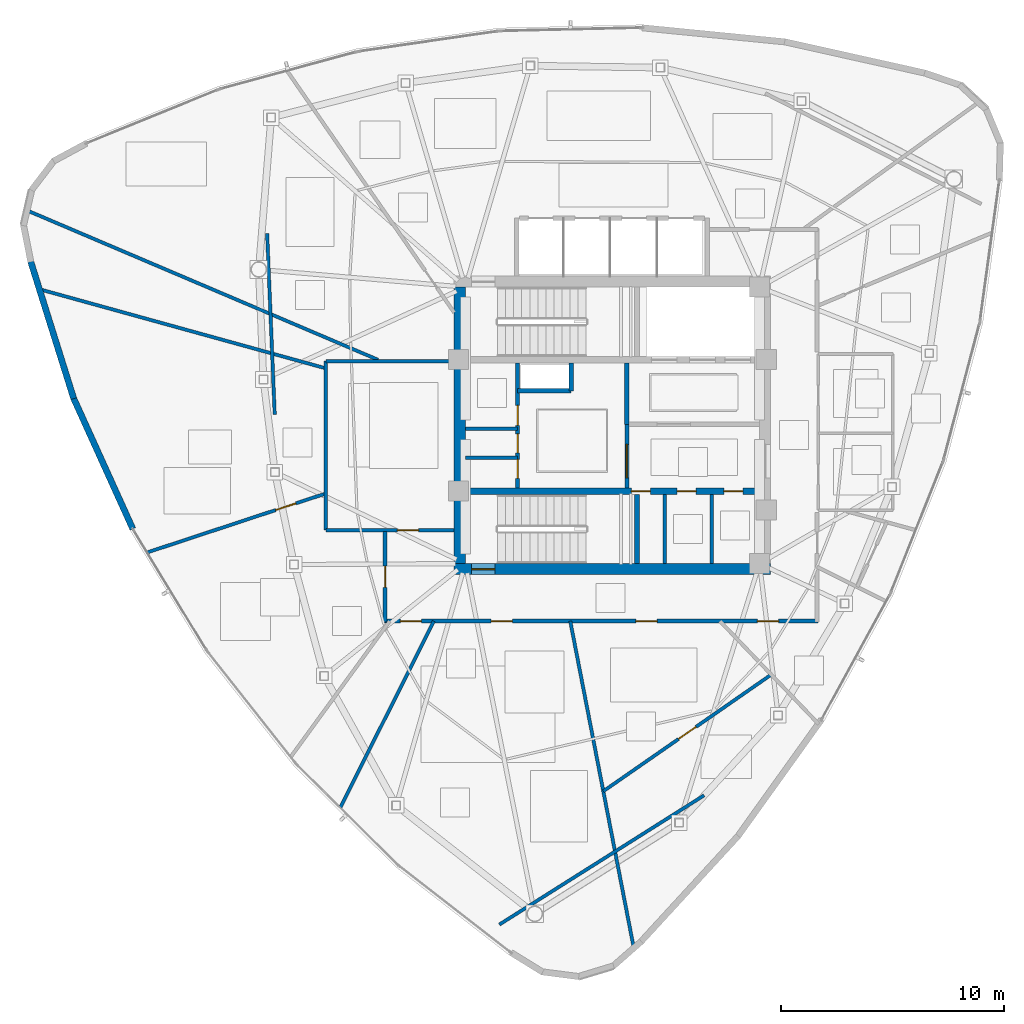
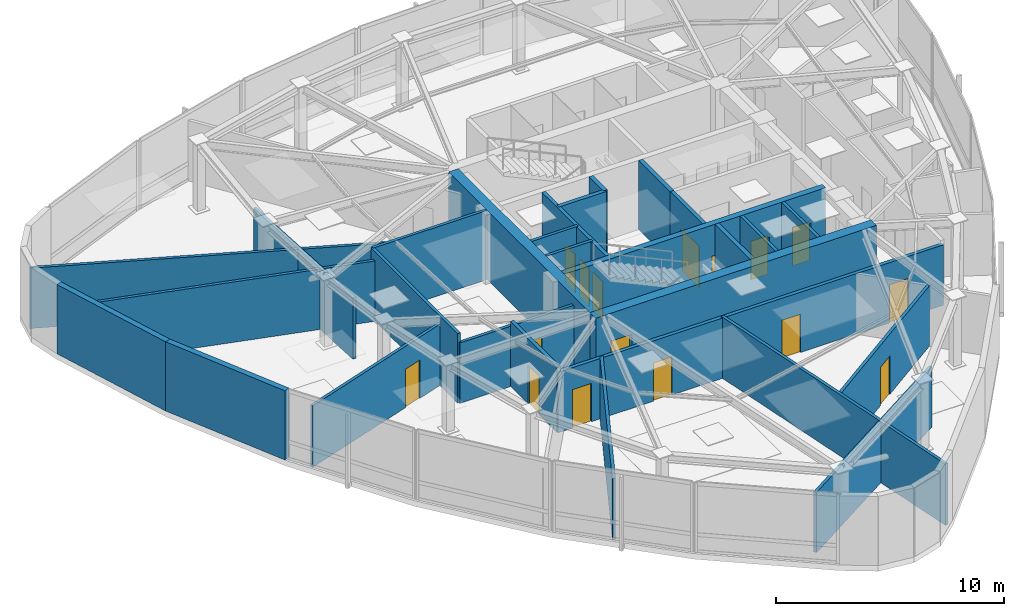
# One storey, part 8 of 12: 28 walls, 16 doors, 16 openings.
"""IFC4 building model written with IfcOpenShell, lengths in metres."""

from ifc_helpers import new_model, si_unit, direction, frame, frame_2d, origin, place, context, subcontext, project, spatial, rectangle, extrude, material, layer, layer_set, type_object, element, fill, save


model = new_model("IFC4")

# Units and contexts
model_context = context("Model", 3, precision=1e-05, world=origin(), true_north=direction((0.0, 1.0)))
body_context = subcontext(model_context, "Body", "Model", "MODEL_VIEW")
ifc_project = project(units=[si_unit("LENGTHUNIT", "METRE"), si_unit("AREAUNIT", "SQUARE_METRE"), si_unit("VOLUMEUNIT", "CUBIC_METRE"), si_unit("PLANEANGLEUNIT", "RADIAN"), si_unit("MASSUNIT", "GRAM", prefix="KILO")], contexts=[model_context])

# Site, building, storey
site_placement = place(None, origin())
site = spatial("IfcSite", under=ifc_project, at=site_placement, CompositionType="ELEMENT")
building_placement = place(site_placement, origin())
building = spatial("IfcBuilding", under=site, at=building_placement, Name="Tavelor Broadcast Tower", CompositionType="ELEMENT")
storey_placement = place(building_placement, frame((0.0, 0.0, 317.5)))
storey = spatial("IfcBuildingStorey", under=building, at=storey_placement, Name="L76", CompositionType="ELEMENT", Elevation=317.5)

# Wall, opening, door
ifc_material_1 = material(Name="Concrete C50/60", Category="concrete")
ifc_layer_1 = layer(ifc_material_1, 0.5)
ifc_layer_set_1 = layer_set([ifc_layer_1], Name="Concrete C50/60")
wall_type_1 = type_object("IfcWallType", Name="Core Shear Wall 500 mm", PredefinedType="SHEAR", material=ifc_layer_set_1)
wall_1_placement = place(storey_placement, frame((42.89990234375, 38.550048828125, 0.0), z_axis=(0.0, 0.0, 1.0), x_axis=(1.0, 0.0, 0.0)))
wall_1 = element("IfcWall", 1, at=wall_1_placement, inside=storey, type_object=wall_type_1, Name="L76 Central Core Shear Wall S", PredefinedType="SHEAR", context=body_context, shape_type="SweptSolid", body=[
    extrude(rectangle(XDim=14.2001953125, YDim=0.5, at=frame_2d((7.10009765625, 0.0))), origin(), (0.0, 0.0, 1.0), 3.699951171875),
])
opening_1_placement = place(wall_1_placement, frame((0.780029296875, 0.0, 0.0)))
opening_1 = element("IfcOpeningElement", 2, at=opening_1_placement, cuts=wall_1, Name="Opening DR11", PredefinedType="OPENING", context=body_context, shape_type="SweptSolid", body=[
    extrude(rectangle(XDim=1.050048828125, YDim=2.199951171875, at=frame_2d((0.52490234375, 1.10009765625))), frame((0.0, 0.260009765625, 0.0), z_axis=(0.0, -1.0, 0.0), x_axis=(1.0, 0.0, 0.0)), (0.0, 0.0, 1.0), 0.52001953125),
])
ifc_material_2 = material(Name="Steel S355", Category="steel")
door_type_1 = type_object("IfcDoorType", Name="Stair Core Fire Escape Door 1050x2200", OperationType="NOTDEFINED", PredefinedType="DOOR", material=ifc_material_2)
door_1_placement = place(opening_1_placement, origin())
door_1 = element("IfcDoor", 3, at=door_1_placement, inside=storey, type_object=door_type_1, Name="L76 Stair ST2 Protected Exit Door", OperationType="SINGLE_SWING_RIGHT", OverallHeight=2.199951171875, OverallWidth=1.050048828125, PredefinedType="DOOR", context=body_context, shape_type="SweptSolid", body=[
    extrude(rectangle(XDim=1.050048828125, YDim=2.199951171875, at=frame_2d((0.52490234375, 1.10009765625))), frame((0.0, 0.02490234375, 0.0), z_axis=(0.0, -1.0, 0.0), x_axis=(1.0, 0.0, 0.0)), (0.0, 0.0, 1.0), 0.050048828125),
])
fill(opening_1, door_1)

# Wall
wall_2_placement = place(storey_placement, frame((43.14990234375, 38.800048828125, 0.0), z_axis=(0.0, 0.0, 1.0), x_axis=(0.0, 1.0, 0.0)))
element("IfcWall", 4, at=wall_2_placement, inside=storey, type_object=wall_type_1, Name="L76 Central Core Shear Wall W", PredefinedType="SHEAR", context=body_context, shape_type="SweptSolid", body=[
    extrude(rectangle(XDim=12.39990234375, YDim=0.5, at=frame_2d((6.199951171875, 0.0))), origin(), (0.0, 0.0, 1.0), 3.699951171875),
])

# Wall, openings, doors
ifc_layer_2 = layer(ifc_material_1, 0.300048828125)
ifc_layer_set_2 = layer_set([ifc_layer_2], Name="Concrete C50/60")
wall_type_2 = type_object("IfcWallType", Name="Core Spine Shear Wall 300 mm C50", PredefinedType="SHEAR", material=ifc_layer_set_2)
wall_3_placement = place(storey_placement, frame((43.39990234375, 42.050048828125, 0.0), z_axis=(0.0, 0.0, 1.0), x_axis=(1.0, 0.0, 0.0)))
wall_3 = element("IfcWall", 5, at=wall_3_placement, inside=storey, type_object=wall_type_2, Name="L76 Central Core Shear Wall SP2", PredefinedType="SHEAR", context=body_context, shape_type="SweptSolid", body=[
    extrude(rectangle(XDim=13.2001953125, YDim=0.300048828125, at=frame_2d((6.60009765625, 0.0))), origin(), (0.0, 0.0, 1.0), 3.699951171875),
])
opening_2_placement = place(wall_3_placement, frame((7.449951171875, 0.0, 0.0)))
opening_2 = element("IfcOpeningElement", 6, at=opening_2_placement, cuts=wall_3, Name="Opening DR36", PredefinedType="OPENING", context=body_context, shape_type="SweptSolid", body=[
    extrude(rectangle(XDim=0.85009765625, YDim=2.050048828125, at=frame_2d((0.425048828125, 1.02490234375))), frame((0.0, 0.16015625, 0.0), z_axis=(0.0, -1.0, 0.0), x_axis=(1.0, 0.0, 0.0)), (0.0, 0.0, 1.0), 0.320068359375),
])
opening_3_placement = place(wall_3_placement, frame((9.5, 0.0, 0.0)))
opening_3 = element("IfcOpeningElement", 7, at=opening_3_placement, cuts=wall_3, Name="Opening DR36", PredefinedType="OPENING", context=body_context, shape_type="SweptSolid", body=[
    extrude(rectangle(XDim=0.85009765625, YDim=2.050048828125, at=frame_2d((0.425048828125, 1.02490234375))), frame((0.0, 0.16015625, 0.0), z_axis=(0.0, -1.0, 0.0), x_axis=(1.0, 0.0, 0.0)), (0.0, 0.0, 1.0), 0.320068359375),
])
opening_4_placement = place(wall_3_placement, frame((11.60009765625, 0.0, 0.0)))
opening_4 = element("IfcOpeningElement", 8, at=opening_4_placement, cuts=wall_3, Name="Opening DR36", PredefinedType="OPENING", context=body_context, shape_type="SweptSolid", body=[
    extrude(rectangle(XDim=0.85009765625, YDim=2.050048828125, at=frame_2d((0.425048828125, 1.02490234375))), frame((0.0, 0.16015625, 0.0), z_axis=(0.0, -1.0, 0.0), x_axis=(1.0, 0.0, 0.0)), (0.0, 0.0, 1.0), 0.320068359375),
])
door_type_2 = type_object("IfcDoorType", Name="Service Room Fire Door 850x2050", OperationType="NOTDEFINED", PredefinedType="DOOR", material=ifc_material_2)
door_2_placement = place(opening_2_placement, origin())
door_2 = element("IfcDoor", 9, at=door_2_placement, inside=storey, type_object=door_type_2, Name="L76 Reclaimed South Core Pod 1 Door", OperationType="SINGLE_SWING_RIGHT", OverallHeight=2.050048828125, OverallWidth=0.85009765625, PredefinedType="DOOR", context=body_context, shape_type="SweptSolid", body=[
    extrude(rectangle(XDim=0.85009765625, YDim=2.050048828125, at=frame_2d((0.425048828125, 1.02490234375))), frame((0.0, 0.02490234375, 0.0), z_axis=(0.0, -1.0, 0.0), x_axis=(1.0, 0.0, 0.0)), (0.0, 0.0, 1.0), 0.050048828125),
])
fill(opening_2, door_2)
door_3_placement = place(opening_3_placement, origin())
door_3 = element("IfcDoor", 10, at=door_3_placement, inside=storey, type_object=door_type_2, Name="L76 Reclaimed South Core Pod 2 Door", OperationType="SINGLE_SWING_LEFT", OverallHeight=2.050048828125, OverallWidth=0.85009765625, PredefinedType="DOOR", context=body_context, shape_type="SweptSolid", body=[
    extrude(rectangle(XDim=0.85009765625, YDim=2.050048828125, at=frame_2d((0.425048828125, 1.02490234375))), frame((0.0, 0.02490234375, 0.0), z_axis=(0.0, -1.0, 0.0), x_axis=(1.0, 0.0, 0.0)), (0.0, 0.0, 1.0), 0.050048828125),
])
fill(opening_3, door_3)
door_4_placement = place(opening_4_placement, origin())
door_4 = element("IfcDoor", 11, at=door_4_placement, inside=storey, type_object=door_type_2, Name="L76 Reclaimed South Core Pod 3 Door", OperationType="SINGLE_SWING_RIGHT", OverallHeight=2.050048828125, OverallWidth=0.85009765625, PredefinedType="DOOR", context=body_context, shape_type="SweptSolid", body=[
    extrude(rectangle(XDim=0.85009765625, YDim=2.050048828125, at=frame_2d((0.425048828125, 1.02490234375))), frame((0.0, 0.02490234375, 0.0), z_axis=(0.0, -1.0, 0.0), x_axis=(1.0, 0.0, 0.0)), (0.0, 0.0, 1.0), 0.050048828125),
])
fill(opening_4, door_4)

# Wall, opening, door
ifc_material_3 = material(Name="Calcium Silicate Fire Board 180 mm", Category="gypsum")
ifc_layer_3 = layer(ifc_material_3, 0.179931640625)
ifc_layer_set_3 = layer_set([ifc_layer_3], Name="Calcium Silicate Fire Board 180 mm")
wall_type_3 = type_object("IfcWallType", Name="Fire-Rated Corridor Partition Wall 180 mm", PredefinedType="PARTITIONING", material=ifc_layer_set_3)
wall_4_placement = place(storey_placement, frame((50.64990234375, 42.199951171875, 0.0), z_axis=(0.0, 0.0, 1.0), x_axis=(0.0, 1.0, 0.0)))
wall_4 = element("IfcWall", 12, at=wall_4_placement, inside=storey, type_object=wall_type_3, Name="L76 Core Lobby Zoning Wall", PredefinedType="PARTITIONING", context=body_context, shape_type="SweptSolid", body=[
    extrude(rectangle(XDim=2.85009765625, YDim=0.179931640625, at=frame_2d((1.425048828125, 0.0))), origin(), (0.0, 0.0, 1.0), 3.699951171875),
])
opening_5_placement = place(wall_4_placement, frame((0.449951171875, 0.0, 0.0)))
opening_5 = element("IfcOpeningElement", 13, at=opening_5_placement, cuts=wall_4, Name="Opening DR14", PredefinedType="OPENING", context=body_context, shape_type="SweptSolid", body=[
    extrude(rectangle(XDim=1.5, YDim=2.199951171875, at=frame_2d((0.75, 1.10009765625))), frame((0.0, 0.10009765625, 0.0), z_axis=(0.0, -1.0, 0.0), x_axis=(1.0, 0.0, 0.0)), (0.0, 0.0, 1.0), 0.199951171875),
])
door_type_3 = type_object("IfcDoorType", Name="Firefighting Lobby Double Fire Door 1500x2200", OperationType="NOTDEFINED", PredefinedType="DOOR", material=ifc_material_2)
door_5_placement = place(opening_5_placement, origin())
door_5 = element("IfcDoor", 14, at=door_5_placement, inside=storey, type_object=door_type_3, Name="L76 Core West Lobby Double Fire Door", OperationType="SINGLE_SWING_LEFT", OverallHeight=2.199951171875, OverallWidth=1.5, PredefinedType="DOOR", context=body_context, shape_type="SweptSolid", body=[
    extrude(rectangle(XDim=1.5, YDim=2.199951171875, at=frame_2d((0.75, 1.10009765625))), frame((0.0, 0.02490234375, 0.0), z_axis=(0.0, -1.0, 0.0), x_axis=(1.0, 0.0, 0.0)), (0.0, 0.0, 1.0), 0.050048828125),
])
fill(opening_5, door_5)

# Wall, openings, doors
wall_5_placement = place(storey_placement, frame((45.75, 42.199951171875, 0.0), z_axis=(0.0, 0.0, 1.0), x_axis=(0.0, 1.0, 0.0)))
wall_5 = element("IfcWall", 15, at=wall_5_placement, inside=storey, type_object=wall_type_3, Name="L76 Core West Service East Wall", PredefinedType="PARTITIONING", context=body_context, shape_type="SweptSolid", body=[
    extrude(rectangle(XDim=5.60009765625, YDim=0.179931640625, at=frame_2d((2.800048828125, 0.0))), origin(), (0.0, 0.0, 1.0), 3.699951171875),
])
opening_6_placement = place(wall_5_placement, frame((0.419921875, 0.0, 0.0)))
opening_6 = element("IfcOpeningElement", 16, at=opening_6_placement, cuts=wall_5, Name="Opening DR36", PredefinedType="OPENING", context=body_context, shape_type="SweptSolid", body=[
    extrude(rectangle(XDim=0.85009765625, YDim=2.050048828125, at=frame_2d((0.425048828125, 1.02490234375))), frame((0.0, 0.10009765625, 0.0), z_axis=(0.0, -1.0, 0.0), x_axis=(1.0, 0.0, 0.0)), (0.0, 0.0, 1.0), 0.199951171875),
])
opening_7_placement = place(wall_5_placement, frame((1.570068359375, 0.0, 0.0)))
opening_7 = element("IfcOpeningElement", 17, at=opening_7_placement, cuts=wall_5, Name="Opening DR36", PredefinedType="OPENING", context=body_context, shape_type="SweptSolid", body=[
    extrude(rectangle(XDim=0.85009765625, YDim=2.050048828125, at=frame_2d((0.425048828125, 1.02490234375))), frame((0.0, 0.10009765625, 0.0), z_axis=(0.0, -1.0, 0.0), x_axis=(1.0, 0.0, 0.0)), (0.0, 0.0, 1.0), 0.199951171875),
])
opening_8_placement = place(wall_5_placement, frame((2.800048828125, 0.0, 0.0)))
opening_8 = element("IfcOpeningElement", 18, at=opening_8_placement, cuts=wall_5, Name="Opening DR32", PredefinedType="OPENING", context=body_context, shape_type="SweptSolid", body=[
    extrude(rectangle(XDim=0.89990234375, YDim=2.050048828125, at=frame_2d((0.449951171875, 1.02490234375))), frame((0.0, 0.10009765625, 0.0), z_axis=(0.0, -1.0, 0.0), x_axis=(1.0, 0.0, 0.0)), (0.0, 0.0, 1.0), 0.199951171875),
])
ifc_material_4 = material(Name="Timber Solid Core Hardwood", Category="wood")
door_type_4 = type_object("IfcDoorType", Name="Accessible Washroom Door 900x2050", OperationType="NOTDEFINED", PredefinedType="DOOR", material=ifc_material_4)
door_6_placement = place(opening_8_placement, origin())
door_6 = element("IfcDoor", 19, at=door_6_placement, inside=storey, type_object=door_type_4, Name="L76 Core Accessible WC Door", OperationType="SINGLE_SWING_LEFT", OverallHeight=2.050048828125, OverallWidth=0.89990234375, PredefinedType="DOOR", context=body_context, shape_type="SweptSolid", body=[
    extrude(rectangle(XDim=0.89990234375, YDim=2.050048828125, at=frame_2d((0.449951171875, 1.02490234375))), frame((0.0, 0.02490234375, 0.0), z_axis=(0.0, -1.0, 0.0), x_axis=(1.0, 0.0, 0.0)), (0.0, 0.0, 1.0), 0.050048828125),
])
fill(opening_8, door_6)
door_7_placement = place(opening_6_placement, origin())
door_7 = element("IfcDoor", 20, at=door_7_placement, inside=storey, type_object=door_type_2, Name="L76 Core Medical Room Door", OperationType="SINGLE_SWING_LEFT", OverallHeight=2.050048828125, OverallWidth=0.85009765625, PredefinedType="DOOR", context=body_context, shape_type="SweptSolid", body=[
    extrude(rectangle(XDim=0.85009765625, YDim=2.050048828125, at=frame_2d((0.425048828125, 1.02490234375))), frame((0.0, 0.02490234375, 0.0), z_axis=(0.0, -1.0, 0.0), x_axis=(1.0, 0.0, 0.0)), (0.0, 0.0, 1.0), 0.050048828125),
])
fill(opening_6, door_7)
door_8_placement = place(opening_7_placement, origin())
door_8 = element("IfcDoor", 21, at=door_8_placement, inside=storey, type_object=door_type_2, Name="L76 Core Copy Room Door", OperationType="SINGLE_SWING_RIGHT", OverallHeight=2.050048828125, OverallWidth=0.85009765625, PredefinedType="DOOR", context=body_context, shape_type="SweptSolid", body=[
    extrude(rectangle(XDim=0.85009765625, YDim=2.050048828125, at=frame_2d((0.425048828125, 1.02490234375))), frame((0.0, 0.02490234375, 0.0), z_axis=(0.0, -1.0, 0.0), x_axis=(1.0, 0.0, 0.0)), (0.0, 0.0, 1.0), 0.050048828125),
])
fill(opening_7, door_8)

wall_6_placement = place(storey_placement, frame((59.22998046875, 36.219970703125, 0.0), z_axis=(0.0, 0.0, 1.0), x_axis=(-1.0, 0.0, 0.0)))
wall_6 = element("IfcWall", 22, at=wall_6_placement, inside=storey, type_object=wall_type_3, Name="L76 Corridor Compartment Wall 04", PredefinedType="PARTITIONING", context=body_context, shape_type="SweptSolid", body=[
    extrude(rectangle(XDim=19.47998046875, YDim=0.179931640625, at=frame_2d((9.739990234375, 0.0))), origin(), (0.0, 0.0, 1.0), 3.22509765625),
])
opening_9_placement = place(wall_6_placement, frame((1.778564453125, 0.0, 0.0)))
opening_9 = element("IfcOpeningElement", 23, at=opening_9_placement, cuts=wall_6, Name="Opening DR18", PredefinedType="OPENING", context=body_context, shape_type="SweptSolid", body=[
    extrude(rectangle(XDim=0.949951171875, YDim=2.050048828125, at=frame_2d((0.47509765625, 1.02490234375))), frame((0.0, 0.10009765625, 0.0), z_axis=(0.0, -1.0, 0.0), x_axis=(1.0, 0.0, 0.0)), (0.0, 0.0, 1.0), 0.199951171875),
])
opening_10_placement = place(wall_6_placement, frame((7.23095703125, 0.0, 0.0)))
opening_10 = element("IfcOpeningElement", 24, at=opening_10_placement, cuts=wall_6, Name="Opening DR18", PredefinedType="OPENING", context=body_context, shape_type="SweptSolid", body=[
    extrude(rectangle(XDim=0.949951171875, YDim=2.050048828125, at=frame_2d((0.47509765625, 1.02490234375))), frame((0.0, 0.10009765625, 0.0), z_axis=(0.0, -1.0, 0.0), x_axis=(1.0, 0.0, 0.0)), (0.0, 0.0, 1.0), 0.199951171875),
])
opening_11_placement = place(wall_6_placement, frame((13.718994140625, 0.0, 0.0)))
opening_11 = element("IfcOpeningElement", 25, at=opening_11_placement, cuts=wall_6, Name="Opening DR18", PredefinedType="OPENING", context=body_context, shape_type="SweptSolid", body=[
    extrude(rectangle(XDim=0.949951171875, YDim=2.050048828125, at=frame_2d((0.47509765625, 1.02490234375))), frame((0.0, 0.10009765625, 0.0), z_axis=(0.0, -1.0, 0.0), x_axis=(1.0, 0.0, 0.0)), (0.0, 0.0, 1.0), 0.199951171875),
])
opening_12_placement = place(wall_6_placement, frame((17.798828125, 0.0, 0.0)))
opening_12 = element("IfcOpeningElement", 26, at=opening_12_placement, cuts=wall_6, Name="Opening DR18", PredefinedType="OPENING", context=body_context, shape_type="SweptSolid", body=[
    extrude(rectangle(XDim=0.949951171875, YDim=2.050048828125, at=frame_2d((0.47509765625, 1.02490234375))), frame((0.0, 0.10009765625, 0.0), z_axis=(0.0, -1.0, 0.0), x_axis=(1.0, 0.0, 0.0)), (0.0, 0.0, 1.0), 0.199951171875),
])
door_type_5 = type_object("IfcDoorType", Name="Corridor Rated Compartment Door 950x2050", OperationType="NOTDEFINED", PredefinedType="DOOR", material=ifc_material_4)
door_9_placement = place(opening_9_placement, origin())
door_9 = element("IfcDoor", 27, at=door_9_placement, inside=storey, type_object=door_type_5, Name="L76 Newsroom Huddle Room Door R2", OperationType="SINGLE_SWING_LEFT", OverallHeight=2.050048828125, OverallWidth=0.949951171875, PredefinedType="DOOR", context=body_context, shape_type="SweptSolid", body=[
    extrude(rectangle(XDim=0.949951171875, YDim=2.050048828125, at=frame_2d((0.47509765625, 1.02490234375))), frame((0.0, 0.02490234375, 0.0), z_axis=(0.0, -1.0, 0.0), x_axis=(1.0, 0.0, 0.0)), (0.0, 0.0, 1.0), 0.050048828125),
])
fill(opening_9, door_9)
door_10_placement = place(opening_10_placement, origin())
door_10 = element("IfcDoor", 28, at=door_10_placement, inside=storey, type_object=door_type_5, Name="L76 Broadcast Concierge Desk Door R11", OperationType="SINGLE_SWING_RIGHT", OverallHeight=2.050048828125, OverallWidth=0.949951171875, PredefinedType="DOOR", context=body_context, shape_type="SweptSolid", body=[
    extrude(rectangle(XDim=0.949951171875, YDim=2.050048828125, at=frame_2d((0.47509765625, 1.02490234375))), frame((0.0, 0.02490234375, 0.0), z_axis=(0.0, -1.0, 0.0), x_axis=(1.0, 0.0, 0.0)), (0.0, 0.0, 1.0), 0.050048828125),
])
fill(opening_10, door_10)
door_11_placement = place(opening_11_placement, origin())
door_11 = element("IfcDoor", 29, at=door_11_placement, inside=storey, type_object=door_type_5, Name="L76 Editorial Huddle Room Door R4", OperationType="SINGLE_SWING_LEFT", OverallHeight=2.050048828125, OverallWidth=0.949951171875, PredefinedType="DOOR", context=body_context, shape_type="SweptSolid", body=[
    extrude(rectangle(XDim=0.949951171875, YDim=2.050048828125, at=frame_2d((0.47509765625, 1.02490234375))), frame((0.0, 0.02490234375, 0.0), z_axis=(0.0, -1.0, 0.0), x_axis=(1.0, 0.0, 0.0)), (0.0, 0.0, 1.0), 0.050048828125),
])
fill(opening_11, door_11)
door_12_placement = place(opening_12_placement, origin())
door_12 = element("IfcDoor", 30, at=door_12_placement, inside=storey, type_object=door_type_5, Name="L76 Press Interview Room Door R5", OperationType="SINGLE_SWING_RIGHT", OverallHeight=2.050048828125, OverallWidth=0.949951171875, PredefinedType="DOOR", context=body_context, shape_type="SweptSolid", body=[
    extrude(rectangle(XDim=0.949951171875, YDim=2.050048828125, at=frame_2d((0.47509765625, 1.02490234375))), frame((0.0, 0.02490234375, 0.0), z_axis=(0.0, -1.0, 0.0), x_axis=(1.0, 0.0, 0.0)), (0.0, 0.0, 1.0), 0.050048828125),
])
fill(opening_12, door_12)

# Wall, opening, door
wall_7_placement = place(storey_placement, frame((39.800048828125, 36.169921875, 0.0), z_axis=(0.0, 0.0, 1.0), x_axis=(0.0, 1.0, 0.0)))
wall_7 = element("IfcWall", 31, at=wall_7_placement, inside=storey, type_object=wall_type_3, Name="L76 Corridor Compartment Wall 05", PredefinedType="PARTITIONING", context=body_context, shape_type="SweptSolid", body=[
    extrude(rectangle(XDim=4.080078125, YDim=0.179931640625, at=frame_2d((2.0400390625, 0.0))), origin(), (0.0, 0.0, 1.0), 3.47509765625),
])
opening_13_placement = place(wall_7_placement, frame((1.56494140625, 0.0, 0.0)))
opening_13 = element("IfcOpeningElement", 32, at=opening_13_placement, cuts=wall_7, Name="Opening DR18", PredefinedType="OPENING", context=body_context, shape_type="SweptSolid", body=[
    extrude(rectangle(XDim=0.949951171875, YDim=2.050048828125, at=frame_2d((0.47509765625, 1.02490234375))), frame((0.0, 0.10009765625, 0.0), z_axis=(0.0, -1.0, 0.0), x_axis=(1.0, 0.0, 0.0)), (0.0, 0.0, 1.0), 0.199951171875),
])
door_13_placement = place(opening_13_placement, origin())
door_13 = element("IfcDoor", 33, at=door_13_placement, inside=storey, type_object=door_type_5, Name="L76 Standards Huddle Room Door R6", OperationType="SINGLE_SWING_LEFT", OverallHeight=2.050048828125, OverallWidth=0.949951171875, PredefinedType="DOOR", context=body_context, shape_type="SweptSolid", body=[
    extrude(rectangle(XDim=0.949951171875, YDim=2.050048828125, at=frame_2d((0.47509765625, 1.02490234375))), frame((0.0, 0.02490234375, 0.0), z_axis=(0.0, -1.0, 0.0), x_axis=(1.0, 0.0, 0.0)), (0.0, 0.0, 1.0), 0.050048828125),
])
fill(opening_13, door_13)

# Walls
ifc_material_5 = material(Name="Precast Concrete C40/50", Category="concrete")
ifc_layer_4 = layer(ifc_material_5, 0.280029296875)
ifc_layer_set_4 = layer_set([ifc_layer_4], Name="Precast Concrete C40/50")
wall_type_4 = type_object("IfcWallType", Name="Insulated Precast Terracotta Facade Wall 280 mm", PredefinedType="STANDARD", material=ifc_layer_set_4)
wall_8_placement = place(storey_placement, frame((23.89501953125, 52.365478515625, 0.0), z_axis=(0.0, 0.0, 1.0), x_axis=(0.299410905336, -0.954124263273, 0.0)))
element("IfcWall", 34, at=wall_8_placement, inside=storey, type_object=wall_type_4, Name="L76 Rounded Corner Structural Cladding Pier 05", PredefinedType="STANDARD", context=body_context, shape_type="SweptSolid", body=[
    extrude(rectangle(XDim=6.46044921875, YDim=0.280029296875, at=frame_2d((3.230224609375, 0.0))), origin(), (0.0, 0.0, 1.0), 3.699951171875),
])
wall_9_placement = place(storey_placement, frame((25.818603515625, 46.2294921875, 0.0), z_axis=(0.0, 0.0, 1.0), x_axis=(0.412721542627, -0.910857249107, 0.0)))
element("IfcWall", 35, at=wall_9_placement, inside=storey, type_object=wall_type_4, Name="L76 Rounded Corner Structural Cladding Pier 06", PredefinedType="STANDARD", context=body_context, shape_type="SweptSolid", body=[
    extrude(rectangle(XDim=6.4482421875, YDim=0.280029296875, at=frame_2d((3.22412109375, 0.0))), origin(), (0.0, 0.0, 1.0), 3.699951171875),
])
ifc_material_6 = material(Name="Gypsum Acoustic Plasterboard 150 mm", Category="gypsum")
ifc_layer_5 = layer(ifc_material_6, 0.14990234375)
ifc_layer_set_5 = layer_set([ifc_layer_5], Name="Gypsum Acoustic Plasterboard 150 mm")
wall_type_5 = type_object("IfcWallType", Name="Interior Acoustic Partition Wall 150 mm", PredefinedType="PARTITIONING", material=ifc_layer_set_5)
for number, where, z_axis, x_axis, name in (
    (36, (52.35009765625, 38.800048828125, 0.0), (0.0, 0.0, 1.0), (0.0, 1.0, 0.0), "L76 Reclaimed South Core Divider 1"),
    (37, (54.449951171875, 38.800048828125, 0.0), (0.0, 0.0, 1.0), (0.0, 1.0, 0.0), "L76 Reclaimed South Core Divider 2"),
):
    element("IfcWall", number, at=place(storey_placement, frame(where, z_axis=z_axis, x_axis=x_axis)), inside=storey, type_object=wall_type_5, Name=name, PredefinedType="PARTITIONING", context=body_context, shape_type="SweptSolid", body=[
        extrude(rectangle(XDim=3.099853515625, YDim=0.14990234375, at=frame_2d((1.5498046875, 0.0))), origin(), (0.0, 0.0, 1.0), 3.699951171875),
    ])
for number, where, z_axis, x_axis, name in (
    (38, (43.39990234375, 43.550048828125, 0.0), (0.0, 0.0, 1.0), (1.0, 0.0, 0.0), "L76 Core Split Wall B1"),
    (39, (43.39990234375, 44.85009765625, 0.0), (0.0, 0.0, 1.0), (1.0, 0.0, 0.0), "L76 Core Split Wall B2"),
):
    element("IfcWall", number, at=place(storey_placement, frame(where, z_axis=z_axis, x_axis=x_axis)), inside=storey, type_object=wall_type_5, Name=name, PredefinedType="PARTITIONING", context=body_context, shape_type="SweptSolid", body=[
        extrude(rectangle(XDim=2.35009765625, YDim=0.14990234375, at=frame_2d((1.175048828125, 0.0))), origin(), (0.0, 0.0, 1.0), 3.699951171875),
    ])
wall_10_placement = place(storey_placement, frame((34.50732421875, 53.61279296875, 0.0), z_axis=(0.0, 0.0, 1.0), x_axis=(0.041875090182, -0.999122853718, 0.0)))
element("IfcWall", 40, at=wall_10_placement, inside=storey, type_object=wall_type_5, Name="L76 Corner Tube Brace Furring Wall 1", PredefinedType="PARTITIONING", context=body_context, shape_type="SweptSolid", body=[
    extrude(rectangle(XDim=8.138916015625, YDim=0.14990234375, at=frame_2d((4.0693359375, 0.0))), origin(), (0.0, 0.0, 1.0), 3.27490234375),
])
wall_11_placement = place(storey_placement, frame((44.9267578125, 22.60546875, 0.0), z_axis=(0.0, 0.0, 1.0), x_axis=(0.845624548895, 0.533778158326, 0.0)))
element("IfcWall", 41, at=wall_11_placement, inside=storey, type_object=wall_type_5, Name="L76 Corner Tube Brace Furring Wall 2", PredefinedType="PARTITIONING", context=body_context, shape_type="SweptSolid", body=[
    extrude(rectangle(XDim=10.861083984375, YDim=0.14990234375, at=frame_2d((5.4306640625, 0.0))), origin(), (0.0, 0.0, 1.0), 3.22509765625),
])

# Wall, opening, door
wall_12_placement = place(storey_placement, frame((37.139892578125, 40.300048828125, 0.0), z_axis=(0.0, 0.0, 1.0), x_axis=(1.0, 0.0, 0.0)))
wall_12 = element("IfcWall", 42, at=wall_12_placement, inside=storey, type_object=wall_type_5, Name="L76 Reclaimed Shaft Pantry South Wall", PredefinedType="PARTITIONING", context=body_context, shape_type="SweptSolid", body=[
    extrude(rectangle(XDim=5.760009765625, YDim=0.14990234375, at=frame_2d((2.8798828125, 0.0))), origin(), (0.0, 0.0, 1.0), 3.22509765625),
])
opening_14_placement = place(wall_12_placement, frame((3.2099609375, 0.0, 0.0)))
opening_14 = element("IfcOpeningElement", 43, at=opening_14_placement, cuts=wall_12, Name="Opening DR18", PredefinedType="OPENING", context=body_context, shape_type="SweptSolid", body=[
    extrude(rectangle(XDim=0.949951171875, YDim=2.050048828125, at=frame_2d((0.47509765625, 1.02490234375))), frame((0.0, 0.0849609375, 0.0), z_axis=(0.0, -1.0, 0.0), x_axis=(1.0, 0.0, 0.0)), (0.0, 0.0, 1.0), 0.169921875),
])
door_14_placement = place(opening_14_placement, origin())
door_14 = element("IfcDoor", 44, at=door_14_placement, inside=storey, type_object=door_type_5, Name="L76 Broadcast IT Patch and Pantry Door", OperationType="SINGLE_SWING_LEFT", OverallHeight=2.050048828125, OverallWidth=0.949951171875, PredefinedType="DOOR", context=body_context, shape_type="SweptSolid", body=[
    extrude(rectangle(XDim=0.949951171875, YDim=2.050048828125, at=frame_2d((0.47509765625, 1.02490234375))), frame((0.0, 0.02490234375, 0.0), z_axis=(0.0, -1.0, 0.0), x_axis=(1.0, 0.0, 0.0)), (0.0, 0.0, 1.0), 0.050048828125),
])
fill(opening_14, door_14)

# Walls
wall_13_placement = place(storey_placement, frame((37.139892578125, 40.300048828125, 0.0), z_axis=(0.0, 0.0, 1.0), x_axis=(0.0, 1.0, 0.0)))
element("IfcWall", 45, at=wall_13_placement, inside=storey, type_object=wall_type_5, Name="L76 Reclaimed Shaft Pantry West Wall", PredefinedType="PARTITIONING", context=body_context, shape_type="SweptSolid", body=[
    extrude(rectangle(XDim=7.579833984375, YDim=0.14990234375, at=frame_2d((3.7900390625, 0.0))), origin(), (0.0, 0.0, 1.0), 3.699951171875),
])
wall_14_placement = place(storey_placement, frame((37.139892578125, 47.8798828125, 0.0), z_axis=(0.0, 0.0, 1.0), x_axis=(1.0, 0.0, 0.0)))
element("IfcWall", 46, at=wall_14_placement, inside=storey, type_object=wall_type_5, Name="L76 Reclaimed Shaft Pantry North Wall", PredefinedType="PARTITIONING", context=body_context, shape_type="SweptSolid", body=[
    extrude(rectangle(XDim=5.760009765625, YDim=0.14990234375, at=frame_2d((2.8798828125, 0.0))), origin(), (0.0, 0.0, 1.0), 3.699951171875),
])
wall_15_placement = place(storey_placement, frame((48.106689453125, 36.219970703125, 0.0), z_axis=(0.0, 0.0, 1.0), x_axis=(0.190807169093, -0.981627538439, 0.0)))
element("IfcWall", 47, at=wall_15_placement, inside=storey, type_object=wall_type_5, Name="L76 Radial Compartment Wall 01", PredefinedType="PARTITIONING", context=body_context, shape_type="SweptSolid", body=[
    extrude(rectangle(XDim=14.95361328125, YDim=0.14990234375, at=frame_2d((7.476806640625, 0.0))), origin(), (0.0, 0.0, 1.0), 3.27490234375),
])
wall_16_placement = place(storey_placement, frame((39.490478515625, 47.93994140625, 0.0), z_axis=(0.0, 0.0, 1.0), x_axis=(-0.920161843654, 0.391538224806, 0.0)))
element("IfcWall", 48, at=wall_16_placement, inside=storey, type_object=wall_type_5, Name="L76 Radial Compartment Wall 08", PredefinedType="PARTITIONING", context=body_context, shape_type="SweptSolid", body=[
    extrude(rectangle(XDim=17.13623046875, YDim=0.14990234375, at=frame_2d((8.568115234375, 0.0))), origin(), (0.0, 0.0, 1.0), 3.22509765625),
])
wall_17_placement = place(storey_placement, frame((37.080078125, 47.575439453125, 0.0), z_axis=(0.0, 0.0, 1.0), x_axis=(-0.963874398092, 0.266357175056, 0.0)))
element("IfcWall", 49, at=wall_17_placement, inside=storey, type_object=wall_type_5, Name="L76 Radial Compartment Wall 09", PredefinedType="PARTITIONING", context=body_context, shape_type="SweptSolid", body=[
    extrude(rectangle(XDim=13.2822265625, YDim=0.14990234375, at=frame_2d((6.64111328125, 0.0))), origin(), (0.0, 0.0, 1.0), 3.22509765625),
])

# Wall, opening, door
wall_18_placement = place(storey_placement, frame((37.080078125, 41.92431640625, 0.0), z_axis=(0.0, 0.0, 1.0), x_axis=(-0.94962492479, -0.313388739776, 0.0)))
wall_18 = element("IfcWall", 50, at=wall_18_placement, inside=storey, type_object=wall_type_5, Name="L76 Radial Compartment Wall 10", PredefinedType="PARTITIONING", context=body_context, shape_type="SweptSolid", body=[
    extrude(rectangle(XDim=8.388671875, YDim=0.14990234375, at=frame_2d((4.1943359375, 0.0))), origin(), (0.0, 0.0, 1.0), 3.27490234375),
])
opening_15_placement = place(wall_18_placement, frame((1.35009765625, 0.0, 0.0)))
opening_15 = element("IfcOpeningElement", 51, at=opening_15_placement, cuts=wall_18, Name="Opening DR18", PredefinedType="OPENING", context=body_context, shape_type="SweptSolid", body=[
    extrude(rectangle(XDim=0.949951171875, YDim=2.050048828125, at=frame_2d((0.47509765625, 1.02490234375))), frame((0.0, 0.0849609375, 0.0), z_axis=(0.0, -1.0, 0.0), x_axis=(1.0, 0.0, 0.0)), (0.0, 0.0, 1.0), 0.169921875),
])
door_15_placement = place(opening_15_placement, origin())
door_15 = element("IfcDoor", 52, at=door_15_placement, inside=storey, type_object=door_type_5, Name="L76 Suite Connecting Door 7", OperationType="SINGLE_SWING_LEFT", OverallHeight=2.050048828125, OverallWidth=0.949951171875, PredefinedType="DOOR", context=body_context, shape_type="SweptSolid", body=[
    extrude(rectangle(XDim=0.949951171875, YDim=2.050048828125, at=frame_2d((0.47509765625, 1.02490234375))), frame((0.0, 0.02490234375, 0.0), z_axis=(0.0, -1.0, 0.0), x_axis=(1.0, 0.0, 0.0)), (0.0, 0.0, 1.0), 0.050048828125),
])
fill(opening_15, door_15)

# Wall
wall_19_placement = place(storey_placement, frame((41.990478515625, 36.219970703125, 0.0), z_axis=(0.0, 0.0, 1.0), x_axis=(-0.448785763498, -0.893639378319, 0.0)))
element("IfcWall", 53, at=wall_19_placement, inside=storey, type_object=wall_type_5, Name="L76 Radial Compartment Wall 12", PredefinedType="PARTITIONING", context=body_context, shape_type="SweptSolid", body=[
    extrude(rectangle(XDim=9.375244140625, YDim=0.14990234375, at=frame_2d((4.6875, 0.0))), origin(), (0.0, 0.0, 1.0), 3.27490234375),
])

# Wall, opening, door
wall_20_placement = place(storey_placement, frame((49.59033203125, 28.5869140625, 0.0), z_axis=(0.0, 0.0, 1.0), x_axis=(0.821380703864, 0.570380346191, 0.0)))
wall_20 = element("IfcWall", 54, at=wall_20_placement, inside=storey, type_object=wall_type_5, Name="L76 Suite Chord Partition Wall 01", PredefinedType="PARTITIONING", context=body_context, shape_type="SweptSolid", body=[
    extrude(rectangle(XDim=9.17236328125, YDim=0.14990234375, at=frame_2d((4.586181640625, 0.0))), origin(), (0.0, 0.0, 1.0), 3.22509765625),
])
opening_16_placement = place(wall_20_placement, frame((4.111083984375, 0.0, 0.0)))
opening_16 = element("IfcOpeningElement", 55, at=opening_16_placement, cuts=wall_20, Name="Opening DR23", PredefinedType="OPENING", context=body_context, shape_type="SweptSolid", body=[
    extrude(rectangle(XDim=0.949951171875, YDim=2.050048828125, at=frame_2d((0.47509765625, 1.02490234375))), frame((0.0, 0.0849609375, 0.0), z_axis=(0.0, -1.0, 0.0), x_axis=(1.0, 0.0, 0.0)), (0.0, 0.0, 1.0), 0.169921875),
])
door_type_6 = type_object("IfcDoorType", Name="Editorial Room Acoustic Door 950x2050", OperationType="NOTDEFINED", PredefinedType="DOOR", material=ifc_material_4)
door_16_placement = place(opening_16_placement, origin())
door_16 = element("IfcDoor", 56, at=door_16_placement, inside=storey, type_object=door_type_6, Name="L76 Outer Suite Partition Door 1", OperationType="SINGLE_SWING_RIGHT", OverallHeight=2.050048828125, OverallWidth=0.949951171875, PredefinedType="DOOR", context=body_context, shape_type="SweptSolid", body=[
    extrude(rectangle(XDim=0.949951171875, YDim=2.050048828125, at=frame_2d((0.47509765625, 1.02490234375))), frame((0.0, 0.02490234375, 0.0), z_axis=(0.0, -1.0, 0.0), x_axis=(1.0, 0.0, 0.0)), (0.0, 0.0, 1.0), 0.050048828125),
])
fill(opening_16, door_16)

# Walls
ifc_material_7 = material(Name="Concrete Blockwork 200 mm", Category="masonry")
ifc_layer_6 = layer(ifc_material_7, 0.199951171875)
ifc_layer_set_6 = layer_set([ifc_layer_6], Name="Concrete Blockwork 200 mm")
wall_type_6 = type_object("IfcWallType", Name="Lift and Riser Shaft Enclosure Wall 200 mm", PredefinedType="PARTITIONING", material=ifc_layer_set_6)
wall_21_placement = place(storey_placement, frame((45.75, 46.550048828125, 0.0), z_axis=(0.0, 0.0, 1.0), x_axis=(1.0, 0.0, 0.0)))
element("IfcWall", 57, at=wall_21_placement, inside=storey, type_object=wall_type_6, Name="L76 Riser Shaft South Wall", PredefinedType="PARTITIONING", context=body_context, shape_type="SweptSolid", body=[
    extrude(rectangle(XDim=2.39990234375, YDim=0.199951171875, at=frame_2d((1.199951171875, 0.0))), origin(), (0.0, 0.0, 1.0), 3.699951171875),
])
wall_22_placement = place(storey_placement, frame((48.14990234375, 46.550048828125, 0.0), z_axis=(0.0, 0.0, 1.0), x_axis=(0.0, 1.0, 0.0)))
element("IfcWall", 58, at=wall_22_placement, inside=storey, type_object=wall_type_6, Name="L76 Riser Shaft East Wall", PredefinedType="PARTITIONING", context=body_context, shape_type="SweptSolid", body=[
    extrude(rectangle(XDim=1.25, YDim=0.199951171875, at=frame_2d((0.625, 0.0))), origin(), (0.0, 0.0, 1.0), 3.699951171875),
])
wall_23_placement = place(storey_placement, frame((50.64990234375, 45.050048828125, 0.0), z_axis=(0.0, 0.0, 1.0), x_axis=(0.0, 1.0, 0.0)))
element("IfcWall", 59, at=wall_23_placement, inside=storey, type_object=wall_type_6, Name="L76 Firefighting Lobby West Wall", PredefinedType="PARTITIONING", context=body_context, shape_type="SweptSolid", body=[
    extrude(rectangle(XDim=2.75, YDim=0.199951171875, at=frame_2d((1.375, 0.0))), origin(), (0.0, 0.0, 1.0), 3.699951171875),
])
ifc_material_8 = material(Name="Concrete C40/50", Category="concrete")
ifc_layer_7 = layer(ifc_material_8, 0.219970703125)
ifc_layer_set_7 = layer_set([ifc_layer_7], Name="Concrete C40/50")
wall_type_7 = type_object("IfcWallType", Name="Structural Stairwell Shear Wall 220 mm", PredefinedType="SHEAR", material=ifc_layer_set_7)
wall_24_placement = place(storey_placement, frame((51.110107421875, 38.800048828125, 0.0), z_axis=(0.0, 0.0, 1.0), x_axis=(0.0, 1.0, 0.0)))
element("IfcWall", 60, at=wall_24_placement, inside=storey, type_object=wall_type_7, Name="L76 Stair ST2 Structural Shaft Wall", PredefinedType="SHEAR", context=body_context, shape_type="SweptSolid", body=[
    extrude(rectangle(XDim=3.099853515625, YDim=0.219970703125, at=frame_2d((1.5498046875, 0.0))), origin(), (0.0, 0.0, 1.0), 3.699951171875),
])

save(model, "model.ifc")
